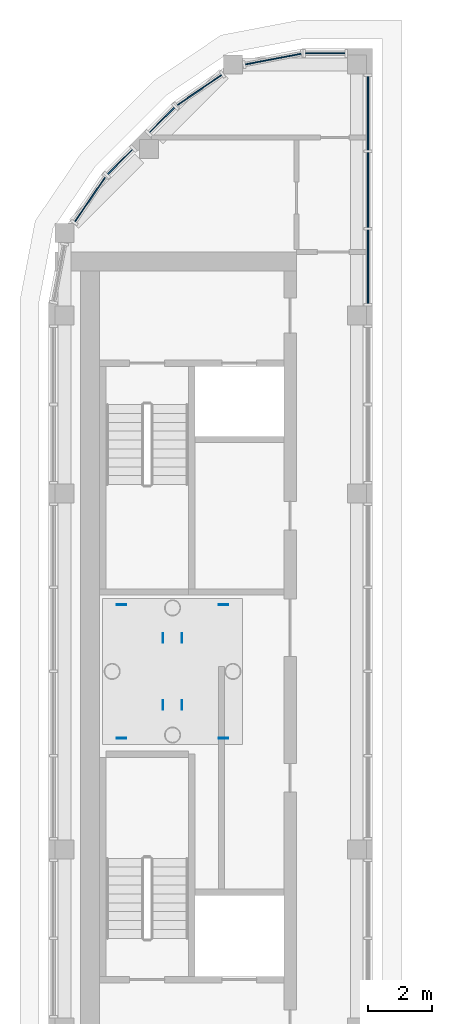
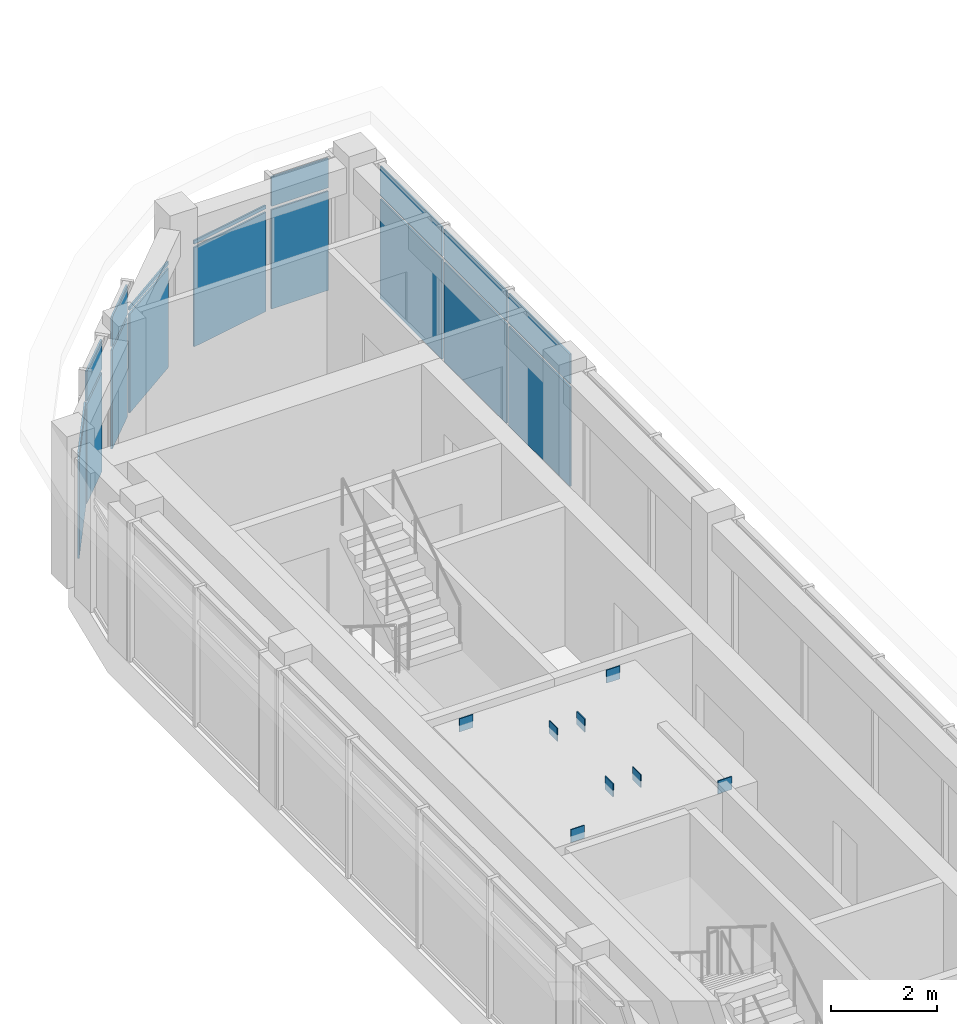
# One storey, part 8 of 16: 26 plates, 7 elements without a shape of their own.
"""IFC4 building model written with IfcOpenShell, lengths in metres."""

from ifc_helpers import new_model, si_unit, direction, frame, origin, origin_2d, place, context, subcontext, project, spatial, rectangle, extrude, material, layer, layer_set, type_object, element, aggregate, save


model = new_model("IFC4")

# Units and contexts
model_context = context("Model", 3, precision=1e-05, world=origin(), true_north=direction((0.0, 1.0)))
body_context = subcontext(model_context, "Body", "Model", "MODEL_VIEW")
ifc_project = project(units=[si_unit("LENGTHUNIT", "METRE"), si_unit("AREAUNIT", "SQUARE_METRE"), si_unit("VOLUMEUNIT", "CUBIC_METRE"), si_unit("PLANEANGLEUNIT", "RADIAN"), si_unit("MASSUNIT", "GRAM", prefix="KILO")], contexts=[model_context])

# Site, building, storey
site_placement = place(None, origin())
site = spatial("IfcSite", under=ifc_project, at=site_placement, CompositionType="ELEMENT")
building_placement = place(site_placement, origin())
building = spatial("IfcBuilding", under=site, at=building_placement, Name="Kiln Ring Residences", CompositionType="ELEMENT")
storey_placement = place(building_placement, frame((0.0, 0.0, 313.89990234375)))
storey = spatial("IfcBuildingStorey", under=building, at=storey_placement, Name="L81 Crown", CompositionType="ELEMENT", Elevation=313.89990234375)

# Plates
ifc_material_1 = material(Name="Steel S460", Category="steel")
ifc_layer_1 = layer(ifc_material_1, 0.02001953125)
ifc_layer_set_1 = layer_set([ifc_layer_1], Name="Brace gusset plate 20")
plate_type_1 = type_object("IfcPlateType", Name="Brace gusset plate 20", PredefinedType="SHEET", material=ifc_layer_set_1)
for number, where, z_axis, x_axis, name in (
    (1, (-22.89990234375, -2.10009765625, 2.9501953125), (0.0, 0.0, 1.0), (1.0, 0.0, 0.0), "Brace gusset plate 1"),
    (2, (-22.89990234375, 2.10009765625, 2.9501953125), (0.0, 0.0, 1.0), (1.0, 0.0, 0.0), "Brace gusset plate 3"),
    (3, (-19.699951171875, -2.10009765625, 2.9501953125), (0.0, 0.0, 1.0), (1.0, 0.0, 0.0), "Brace gusset plate 5"),
    (4, (-19.699951171875, 2.10009765625, 2.9501953125), (0.0, 0.0, 1.0), (1.0, 0.0, 0.0), "Brace gusset plate 7"),
):
    element("IfcPlate", number, at=place(storey_placement, frame(where, z_axis=z_axis, x_axis=x_axis)), inside=storey, type_object=plate_type_1, Name=name, PredefinedType="SHEET", context=body_context, shape_type="SweptSolid", body=[
        extrude(rectangle(XDim=0.300048828125, YDim=0.02001953125, at=origin_2d()), origin(), (0.0, 0.0, 1.0), 0.300048828125),
    ])
for number, where, z_axis, x_axis, name in (
    (5, (-21.60009765625, -1.050048828125, 2.9501953125), (0.0, 0.0, 1.0), (1.0, 0.0, 0.0), "Brace gusset plate 9"),
    (6, (-21.60009765625, 1.050048828125, 2.9501953125), (0.0, 0.0, 1.0), (1.0, 0.0, 0.0), "Brace gusset plate 11"),
    (7, (-21.0, -1.050048828125, 2.9501953125), (0.0, 0.0, 1.0), (1.0, 0.0, 0.0), "Brace gusset plate 13"),
    (8, (-21.0, 1.050048828125, 2.9501953125), (0.0, 0.0, 1.0), (1.0, 0.0, 0.0), "Brace gusset plate 15"),
):
    element("IfcPlate", number, at=place(storey_placement, frame(where, z_axis=z_axis, x_axis=x_axis)), inside=storey, type_object=plate_type_1, Name=name, PredefinedType="SHEET", context=body_context, shape_type="SweptSolid", body=[
        extrude(rectangle(XDim=0.02001953125, YDim=0.300048828125, at=origin_2d()), origin(), (0.0, 0.0, 1.0), 0.300048828125),
    ])

# Curtain wall, plates
ifc_material_2 = material(Name="Aluminium and glass", Category="aluminium")
ifc_layer_2 = layer(ifc_material_2, 0.25)
ifc_layer_set_2 = layer_set([ifc_layer_2], Name="CW4 CURTAIN WALL")
curtain_wall_type = type_object("IfcCurtainWallType", Name="CW4 CURTAIN WALL", PredefinedType="NOTDEFINED", material=ifc_layer_set_2)
placement = place(storey_placement, origin())
curtain_wall_1 = element("IfcCurtainWall", 9, at=placement, inside=storey, type_object=curtain_wall_type, Name="Curtain wall CW4 L81 Crown", PredefinedType="NOTDEFINED")
ifc_material_3 = material(Name="Glass, low-iron laminated", Category="glass")
ifc_layer_3 = layer(ifc_material_3, 0.035888671875)
ifc_layer_set_3 = layer_set([ifc_layer_3], Name="CW4 PANEL 36")
plate_type_2 = type_object("IfcPlateType", Name="CW4 PANEL 36", PredefinedType="CURTAIN_PANEL", material=ifc_layer_set_3)
plate_1_placement = place(storey_placement, frame((-15.14990234375, 12.736572265625, 0.080078125), z_axis=(0.0, 0.0, 1.0), x_axis=(0.0, 1.0, 0.0)))
plate_1 = element("IfcPlate", 10, at=plate_1_placement, type_object=plate_type_2, Name="CW4 panel 1.1", PredefinedType="CURTAIN_PANEL", context=body_context, shape_type="SweptSolid", body=[
    extrude(rectangle(XDim=2.313232421875, YDim=0.035888671875, at=origin_2d()), origin(), (0.0, 0.0, 1.0), 2.280029296875),
])
plate_2_placement = place(storey_placement, frame((-15.14990234375, 12.736572265625, 2.43994140625), z_axis=(0.0, 0.0, 1.0), x_axis=(0.0, 1.0, 0.0)))
plate_2 = element("IfcPlate", 11, at=plate_2_placement, type_object=plate_type_2, Name="CW4 panel 1.2", PredefinedType="CURTAIN_PANEL", context=body_context, shape_type="SweptSolid", body=[
    extrude(rectangle(XDim=2.313232421875, YDim=0.035888671875, at=origin_2d()), origin(), (0.0, 0.0, 1.0), 0.679931640625),
])
plate_3_placement = place(storey_placement, frame((-15.14990234375, 15.14990234375, 0.080078125), z_axis=(0.0, 0.0, 1.0), x_axis=(0.0, 1.0, 0.0)))
plate_3 = element("IfcPlate", 12, at=plate_3_placement, type_object=plate_type_2, Name="CW4 panel 2.1", PredefinedType="CURTAIN_PANEL", context=body_context, shape_type="SweptSolid", body=[
    extrude(rectangle(XDim=2.353271484375, YDim=0.035888671875, at=origin_2d()), origin(), (0.0, 0.0, 1.0), 2.280029296875),
])
plate_4_placement = place(storey_placement, frame((-15.14990234375, 15.14990234375, 2.43994140625), z_axis=(0.0, 0.0, 1.0), x_axis=(0.0, 1.0, 0.0)))
plate_4 = element("IfcPlate", 13, at=plate_4_placement, type_object=plate_type_2, Name="CW4 panel 2.2", PredefinedType="CURTAIN_PANEL", context=body_context, shape_type="SweptSolid", body=[
    extrude(rectangle(XDim=2.353271484375, YDim=0.035888671875, at=origin_2d()), origin(), (0.0, 0.0, 1.0), 0.679931640625),
])
plate_5_placement = place(storey_placement, frame((-15.14990234375, 17.563232421875, 0.080078125), z_axis=(0.0, 0.0, 1.0), x_axis=(0.0, 1.0, 0.0)))
plate_5 = element("IfcPlate", 14, at=plate_5_placement, type_object=plate_type_2, Name="CW4 panel 3.1", PredefinedType="CURTAIN_PANEL", context=body_context, shape_type="SweptSolid", body=[
    extrude(rectangle(XDim=2.313232421875, YDim=0.035888671875, at=origin_2d()), origin(), (0.0, 0.0, 1.0), 2.280029296875),
])
plate_6_placement = place(storey_placement, frame((-15.14990234375, 17.563232421875, 2.43994140625), z_axis=(0.0, 0.0, 1.0), x_axis=(0.0, 1.0, 0.0)))
plate_6 = element("IfcPlate", 15, at=plate_6_placement, type_object=plate_type_2, Name="CW4 panel 3.2", PredefinedType="CURTAIN_PANEL", context=body_context, shape_type="SweptSolid", body=[
    extrude(rectangle(XDim=2.313232421875, YDim=0.035888671875, at=origin_2d()), origin(), (0.0, 0.0, 1.0), 0.679931640625),
])
aggregate(curtain_wall_1, [plate_1, plate_2, plate_3, plate_4, plate_5, plate_6])

curtain_wall_2 = element("IfcCurtainWall", 16, at=placement, inside=storey, type_object=curtain_wall_type, Name="Curtain wall CW4 L81 Crown", PredefinedType="NOTDEFINED")
plate_7_placement = place(storey_placement, frame((-16.5, 19.449951171875, 0.080078125), z_axis=(0.0, 0.0, 1.0), x_axis=(-1.0, 0.0, 0.0)))
plate_7 = element("IfcPlate", 17, at=plate_7_placement, type_object=plate_type_2, Name="CW4 panel 1.1", PredefinedType="CURTAIN_PANEL", context=body_context, shape_type="SweptSolid", body=[
    extrude(rectangle(XDim=1.239990234375, YDim=0.035888671875, at=origin_2d()), origin(), (0.0, 0.0, 1.0), 2.280029296875),
])
plate_8_placement = place(storey_placement, frame((-16.5, 19.449951171875, 2.43994140625), z_axis=(0.0, 0.0, 1.0), x_axis=(-1.0, 0.0, 0.0)))
plate_8 = element("IfcPlate", 18, at=plate_8_placement, type_object=plate_type_2, Name="CW4 panel 1.2", PredefinedType="CURTAIN_PANEL", context=body_context, shape_type="SweptSolid", body=[
    extrude(rectangle(XDim=1.239990234375, YDim=0.035888671875, at=origin_2d()), origin(), (0.0, 0.0, 1.0), 0.679931640625),
])
aggregate(curtain_wall_2, [plate_7, plate_8])

curtain_wall_3 = element("IfcCurtainWall", 19, at=placement, inside=storey, type_object=curtain_wall_type, Name="Curtain wall CW4 L81 Crown", PredefinedType="NOTDEFINED")
plate_9_placement = place(storey_placement, frame((-18.12841796875, 19.270263671875, 0.080078125), z_axis=(0.0, 0.0, 1.0), x_axis=(-0.982290257777, -0.187365550399, 0.0)))
plate_9 = element("IfcPlate", 20, at=plate_9_placement, type_object=plate_type_2, Name="CW4 panel 1.1", PredefinedType="CURTAIN_PANEL", context=body_context, shape_type="SweptSolid", body=[
    extrude(rectangle(XDim=1.787841796875, YDim=0.035888671875, at=origin_2d()), origin(), (0.0, 0.0, 1.0), 2.280029296875),
])
plate_10_placement = place(storey_placement, frame((-18.12841796875, 19.270263671875, 2.43994140625), z_axis=(0.0, 0.0, 1.0), x_axis=(-0.982290257777, -0.187365550399, 0.0)))
plate_10 = element("IfcPlate", 21, at=plate_10_placement, type_object=plate_type_2, Name="CW4 panel 1.2", PredefinedType="CURTAIN_PANEL", context=body_context, shape_type="SweptSolid", body=[
    extrude(rectangle(XDim=1.787841796875, YDim=0.035888671875, at=origin_2d()), origin(), (0.0, 0.0, 1.0), 0.080078125),
])
aggregate(curtain_wall_3, [plate_9, plate_10])

curtain_wall_4 = element("IfcCurtainWall", 22, at=placement, inside=storey, type_object=curtain_wall_type, Name="Curtain wall CW4 L81 Crown", PredefinedType="NOTDEFINED")
plate_11_placement = place(storey_placement, frame((-20.452880859375, 18.29541015625, 0.080078125), z_axis=(0.0, 0.0, 1.0), x_axis=(-0.827071553527, -0.56209665125, 0.0)))
plate_11 = element("IfcPlate", 23, at=plate_11_placement, type_object=plate_type_2, Name="CW4 panel 1.1", PredefinedType="CURTAIN_PANEL", context=body_context, shape_type="SweptSolid", body=[
    extrude(rectangle(XDim=1.677734375, YDim=0.035888671875, at=origin_2d()), origin(), (0.0, 0.0, 1.0), 2.280029296875),
])
plate_12_placement = place(storey_placement, frame((-20.452880859375, 18.29541015625, 2.43994140625), z_axis=(0.0, 0.0, 1.0), x_axis=(-0.827071553527, -0.56209665125, 0.0)))
plate_12 = element("IfcPlate", 24, at=plate_12_placement, type_object=plate_type_2, Name="CW4 panel 1.2", PredefinedType="CURTAIN_PANEL", context=body_context, shape_type="SweptSolid", body=[
    extrude(rectangle(XDim=1.677734375, YDim=0.035888671875, at=origin_2d()), origin(), (0.0, 0.0, 1.0), 0.080078125),
])
aggregate(curtain_wall_4, [plate_11, plate_12])

curtain_wall_5 = element("IfcCurtainWall", 25, at=placement, inside=storey, type_object=curtain_wall_type, Name="Curtain wall CW4 L81 Crown", PredefinedType="NOTDEFINED")
plate_13_placement = place(storey_placement, frame((-21.636474609375, 17.3515625, 0.080078125), z_axis=(0.0, 0.0, 1.0), x_axis=(-0.707106780792, -0.707106781581, 0.0)))
plate_13 = element("IfcPlate", 26, at=plate_13_placement, type_object=plate_type_2, Name="CW4 panel 1.1", PredefinedType="CURTAIN_PANEL", context=body_context, shape_type="SweptSolid", body=[
    extrude(rectangle(XDim=1.099853515625, YDim=0.035888671875, at=origin_2d()), origin(), (0.0, 0.0, 1.0), 2.280029296875),
])
plate_14_placement = place(storey_placement, frame((-21.636474609375, 17.3515625, 2.43994140625), z_axis=(0.0, 0.0, 1.0), x_axis=(-0.707106780792, -0.707106781581, 0.0)))
plate_14 = element("IfcPlate", 27, at=plate_14_placement, type_object=plate_type_2, Name="CW4 panel 1.2", PredefinedType="CURTAIN_PANEL", context=body_context, shape_type="SweptSolid", body=[
    extrude(rectangle(XDim=1.099853515625, YDim=0.035888671875, at=origin_2d()), origin(), (0.0, 0.0, 1.0), 0.679931640625),
])
aggregate(curtain_wall_5, [plate_13, plate_14])

curtain_wall_6 = element("IfcCurtainWall", 28, at=placement, inside=storey, type_object=curtain_wall_type, Name="Curtain wall CW4 L81 Crown", PredefinedType="NOTDEFINED")
plate_15_placement = place(storey_placement, frame((-22.951416015625, 16.036376953125, 0.080078125), z_axis=(0.0, 0.0, 1.0), x_axis=(-0.707106781581, -0.707106780792, 0.0)))
plate_15 = element("IfcPlate", 29, at=plate_15_placement, type_object=plate_type_2, Name="CW4 panel 1.1", PredefinedType="CURTAIN_PANEL", context=body_context, shape_type="SweptSolid", body=[
    extrude(rectangle(XDim=1.099853515625, YDim=0.035888671875, at=origin_2d()), origin(), (0.0, 0.0, 1.0), 2.280029296875),
])
plate_16_placement = place(storey_placement, frame((-22.951416015625, 16.036376953125, 2.43994140625), z_axis=(0.0, 0.0, 1.0), x_axis=(-0.707106781581, -0.707106780792, 0.0)))
plate_16 = element("IfcPlate", 30, at=plate_16_placement, type_object=plate_type_2, Name="CW4 panel 1.2", PredefinedType="CURTAIN_PANEL", context=body_context, shape_type="SweptSolid", body=[
    extrude(rectangle(XDim=1.099853515625, YDim=0.035888671875, at=origin_2d()), origin(), (0.0, 0.0, 1.0), 0.679931640625),
])
aggregate(curtain_wall_6, [plate_15, plate_16])

curtain_wall_7 = element("IfcCurtainWall", 31, at=placement, inside=storey, type_object=curtain_wall_type, Name="Curtain wall CW4 L81 Crown", PredefinedType="NOTDEFINED")
plate_17_placement = place(storey_placement, frame((-23.895263671875, 14.852783203125, 0.080078125), z_axis=(0.0, 0.0, 1.0), x_axis=(-0.56209665125, -0.827071553527, 0.0)))
plate_17 = element("IfcPlate", 32, at=plate_17_placement, type_object=plate_type_2, Name="CW4 panel 1.1", PredefinedType="CURTAIN_PANEL", context=body_context, shape_type="SweptSolid", body=[
    extrude(rectangle(XDim=1.677734375, YDim=0.035888671875, at=origin_2d()), origin(), (0.0, 0.0, 1.0), 2.280029296875),
])
plate_18_placement = place(storey_placement, frame((-23.895263671875, 14.852783203125, 2.43994140625), z_axis=(0.0, 0.0, 1.0), x_axis=(-0.56209665125, -0.827071553527, 0.0)))
plate_18 = element("IfcPlate", 33, at=plate_18_placement, type_object=plate_type_2, Name="CW4 panel 1.2", PredefinedType="CURTAIN_PANEL", context=body_context, shape_type="SweptSolid", body=[
    extrude(rectangle(XDim=1.677734375, YDim=0.035888671875, at=origin_2d()), origin(), (0.0, 0.0, 1.0), 0.080078125),
])
aggregate(curtain_wall_7, [plate_17, plate_18])

save(model, "model.ifc")
